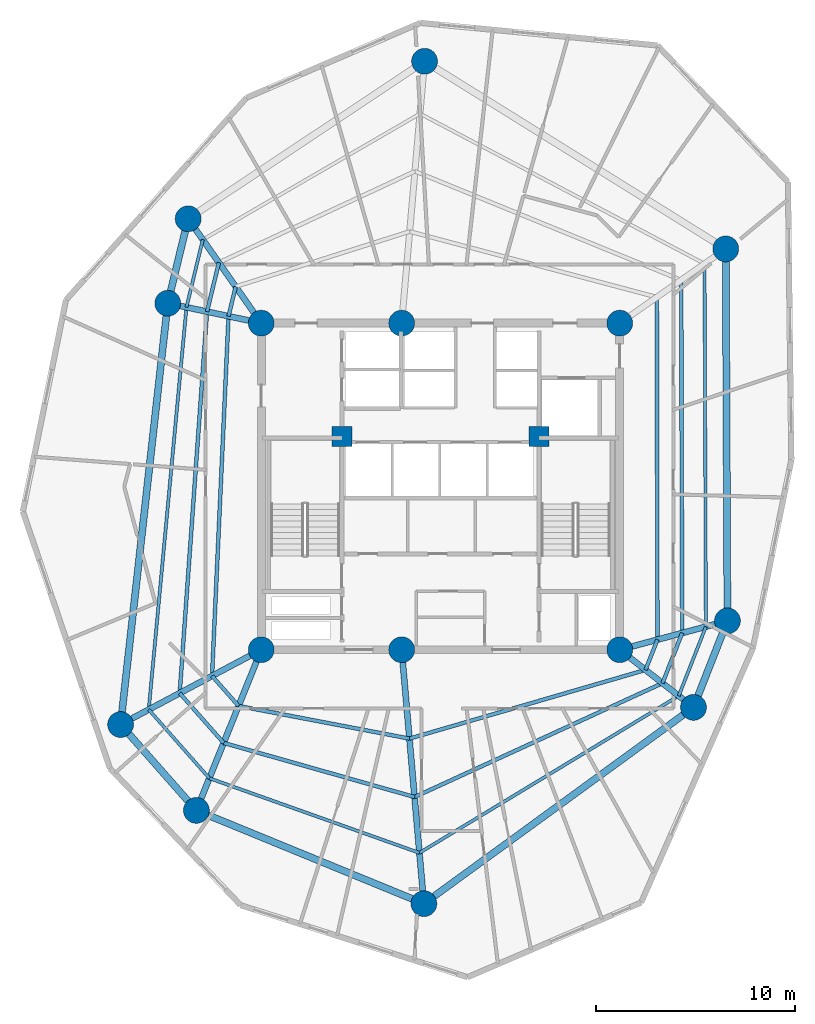
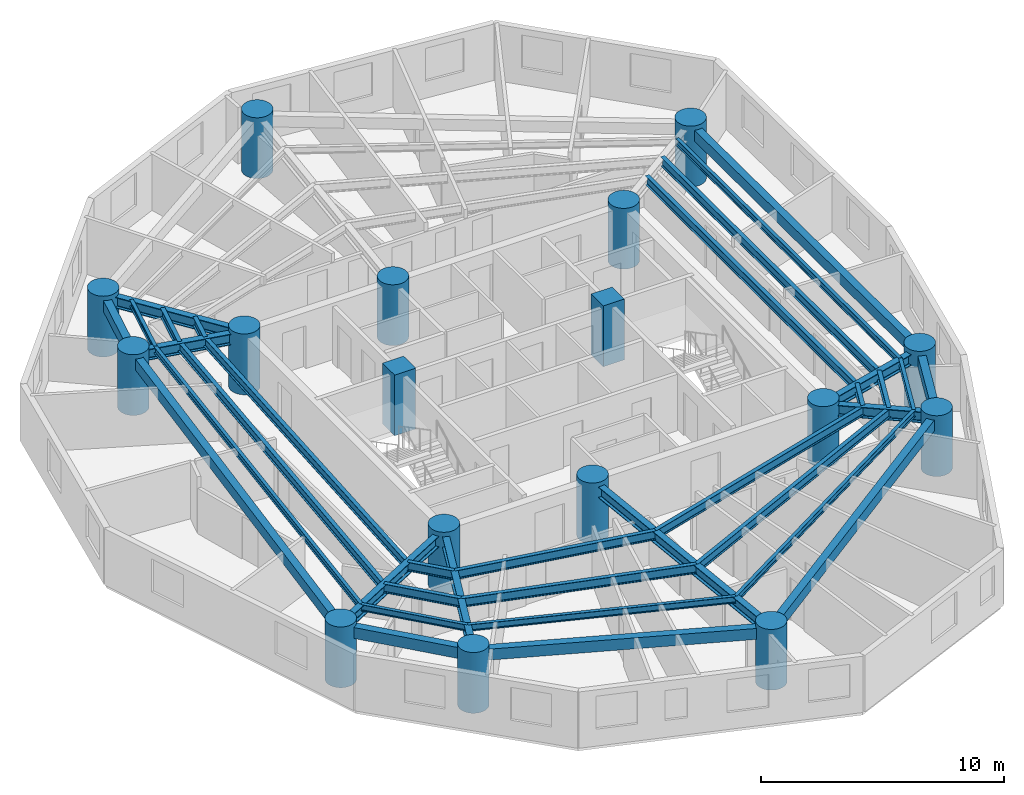
# One storey, part 1 of 8: 35 beams, 17 columns.
"""IFC4 building model written with IfcOpenShell, lengths in metres."""

from ifc_helpers import new_model, si_unit, direction, frame, origin, origin_with_axes, origin_2d, place, context, subcontext, project, spatial, rectangle, circle, i_section, extrude, source, transform, mapped, material, material_profile, profile_set, type_object, element, save


model = new_model("IFC4")

# Units and contexts
model_context = context("Model", 3, precision=1e-05, world=origin(), true_north=direction((0.0, 1.0)))
body_context = subcontext(model_context, "Body", "Model", "MODEL_VIEW")
ifc_project = project(units=[si_unit("LENGTHUNIT", "METRE"), si_unit("AREAUNIT", "SQUARE_METRE"), si_unit("VOLUMEUNIT", "CUBIC_METRE"), si_unit("PLANEANGLEUNIT", "RADIAN"), si_unit("MASSUNIT", "GRAM", prefix="KILO")], contexts=[model_context])

# Site, building, storey
site_placement = place(None, origin())
site = spatial("IfcSite", under=ifc_project, at=site_placement, CompositionType="ELEMENT")
building_placement = place(site_placement, origin())
building = spatial("IfcBuilding", under=site, at=building_placement, Name="Karkom Vertical University and Central Library", CompositionType="ELEMENT")
storey_placement = place(building_placement, frame((0.0, 0.0, 159.60009765625)))
storey = spatial("IfcBuildingStorey", under=building, at=storey_placement, Name="L45", CompositionType="ELEMENT", Elevation=159.60009765625)

# Columns
ifc_material_1 = material(Name="Concrete C50/60", Category="concrete")
ifc_material_profile_1 = material_profile(ifc_material_1, circle(Radius=0.64990234375, at=origin_2d()), Name="CFT-D1300")
ifc_profile_set_1 = profile_set([ifc_material_profile_1], Name="Concrete C50/60")
column_type_1 = type_object("IfcColumnType", Name="STR-COL-C-SC4", PredefinedType="COLUMN", material=ifc_profile_set_1)
shared_shape_1 = source(origin_with_axes(), body_context, "Body", "SweptSolid", [
    extrude(circle(Radius=0.64990234375, at=origin_2d()), origin(), (0.0, 0.0, 1.0), 3.0498046875),
])
for number, where, z_axis, x_axis, name in (
    (1, (19.5, 18.300048828125, 0.0), (0.0, 0.0, 1.0), (1.0, 0.0, 0.0), "Level 45 Spine Mega-Column SC-1"),
    (2, (26.550048828125, 18.300048828125, 0.0), (0.0, 0.0, 1.0), (1.0, 0.0, 0.0), "Level 45 Spine Mega-Column SC-2"),
    (3, (37.5, 18.300048828125, 0.0), (0.0, 0.0, 1.0), (1.0, 0.0, 0.0), "Level 45 Spine Mega-Column SC-3"),
    (4, (19.5, 34.699951171875, 0.0), (0.0, 0.0, 1.0), (1.0, 0.0, 0.0), "Level 45 Spine Mega-Column SC-4"),
    (5, (26.550048828125, 34.699951171875, 0.0), (0.0, 0.0, 1.0), (1.0, 0.0, 0.0), "Level 45 Spine Mega-Column SC-5"),
    (6, (37.5, 34.699951171875, 0.0), (0.0, 0.0, 1.0), (1.0, 0.0, 0.0), "Level 45 Spine Mega-Column SC-6"),
    (7, (42.908935546875, 19.7490234375, 0.0), (0.0, 0.0, 1.0), (1.0, 0.0, 0.0), "Level 45 Perimeter Mega-Column Z3-PC1"),
    (8, (42.823974609375, 38.427978515625, 0.0), (0.0, 0.0, 1.0), (1.0, 0.0, 0.0), "Level 45 Perimeter Mega-Column Z3-PC2"),
    (9, (27.699951171875, 47.85009765625, 0.0), (0.0, 0.0, 1.0), (1.0, 0.0, 0.0), "Level 45 Perimeter Mega-Column Z3-PC3"),
    (10, (15.8291015625, 39.943115234375, 0.0), (0.0, 0.0, 1.0), (1.0, 0.0, 0.0), "Level 45 Perimeter Mega-Column Z3-PC4"),
    (11, (14.804931640625, 35.697998046875, 0.0), (0.0, 0.0, 1.0), (1.0, 0.0, 0.0), "Level 45 Perimeter Mega-Column Z3-PC5"),
    (12, (12.43603515625, 14.5439453125, 0.0), (0.0, 0.0, 1.0), (1.0, 0.0, 0.0), "Level 45 Perimeter Mega-Column Z3-PC6"),
    (13, (16.240966796875, 10.23388671875, 0.0), (0.0, 0.0, 1.0), (1.0, 0.0, 0.0), "Level 45 Perimeter Mega-Column Z3-PC7"),
    (14, (27.666015625, 5.549072265625, 0.0), (0.0, 0.0, 1.0), (1.0, 0.0, 0.0), "Level 45 Perimeter Mega-Column Z3-PC8"),
    (15, (41.2041015625, 15.406005859375, 0.0), (0.0, 0.0, 1.0), (1.0, 0.0, 0.0), "Level 45 Perimeter Mega-Column Z3-PC9"),
):
    element("IfcColumn", number, at=place(storey_placement, frame(where, z_axis=z_axis, x_axis=x_axis)), inside=storey, type_object=column_type_1, Name=name, PredefinedType="COLUMN", context=body_context, shape_type="MappedRepresentation", body=[
        mapped(shared_shape_1, transform((0.0, 0.0, 0.0), scale=1.0)),
    ])
ifc_material_profile_2 = material_profile(ifc_material_1, rectangle(XDim=1.0, YDim=1.0, at=origin_2d()), Name="RC-1000x1000")
ifc_profile_set_2 = profile_set([ifc_material_profile_2], Name="Concrete C50/60")
column_type_2 = type_object("IfcColumnType", Name="STR-COL-C-CC2", PredefinedType="COLUMN", material=ifc_profile_set_2)
shared_shape_2 = source(origin_with_axes(), body_context, "Body", "SweptSolid", [
    extrude(rectangle(XDim=1.0, YDim=1.0, at=origin_2d()), origin(), (0.0, 0.0, 1.0), 3.0498046875),
])
for number, where, z_axis, x_axis, name in (
    (16, (23.550048828125, 29.0, 0.0), (0.0, 0.0, 1.0), (1.0, 0.0, 0.0), "Level 45 Core Node Column CC-1"),
    (17, (33.449951171875, 29.0, 0.0), (0.0, 0.0, 1.0), (1.0, 0.0, 0.0), "Level 45 Core Node Column CC-2"),
):
    element("IfcColumn", number, at=place(storey_placement, frame(where, z_axis=z_axis, x_axis=x_axis)), inside=storey, type_object=column_type_2, Name=name, PredefinedType="COLUMN", context=body_context, shape_type="MappedRepresentation", body=[
        mapped(shared_shape_2, transform((0.0, 0.0, 0.0), scale=1.0)),
    ])

# Beams
ifc_material_2 = material(Name="Precast concrete C45/55", Category="concrete")
ifc_material_profile_3 = material_profile(ifc_material_2, rectangle(XDim=0.35009765625, YDim=0.550048828125, at=origin_2d()), Name="SPB-350x550")
ifc_profile_set_3 = profile_set([ifc_material_profile_3], Name="Precast concrete C45/55")
beam_type_1 = type_object("IfcBeamType", Name="STR-BM-SP-2", PredefinedType="SPANDREL", material=ifc_profile_set_3)
shared_shape_3 = source(origin_with_axes(), body_context, "Body", "SweptSolid", [
    extrude(rectangle(XDim=0.35009765625, YDim=0.550048828125, at=origin_2d()), origin(), (0.0, 0.0, 1.0), 18.67919921875),
])
beam_1_placement = place(storey_placement, frame((42.908935546875, 19.7490234375, 2.5498046875), z_axis=(-0.004548437442, 0.999989655805, 0.0), x_axis=(-0.999989655805, -0.004548437442, 0.0)))
element("IfcBeam", 18, at=beam_1_placement, inside=storey, type_object=beam_type_1, Name="Level 45 Perimeter Spandrel Beam 01", PredefinedType="SPANDREL", context=body_context, shape_type="MappedRepresentation", body=[
    mapped(shared_shape_3, transform((0.0, 0.0, 0.0), scale=1.0)),
])
shared_shape_4 = source(origin_with_axes(), body_context, "Body", "SweptSolid", [
    extrude(rectangle(XDim=0.35009765625, YDim=0.550048828125, at=origin_2d()), origin(), (0.0, 0.0, 1.0), 4.366943359375),
])
beam_2_placement = place(storey_placement, frame((15.8291015625, 39.943115234375, 2.5498046875), z_axis=(-0.234529408772, -0.972109024966, 0.0), x_axis=(0.972109024966, -0.234529408772, 0.0)))
element("IfcBeam", 19, at=beam_2_placement, inside=storey, type_object=beam_type_1, Name="Level 45 Perimeter Spandrel Beam 04", PredefinedType="SPANDREL", context=body_context, shape_type="MappedRepresentation", body=[
    mapped(shared_shape_4, transform((0.0, 0.0, 0.0), scale=1.0)),
])
shared_shape_5 = source(origin_with_axes(), body_context, "Body", "SweptSolid", [
    extrude(rectangle(XDim=0.35009765625, YDim=0.550048828125, at=origin_2d()), origin(), (0.0, 0.0, 1.0), 21.286376953125),
])
beam_3_placement = place(storey_placement, frame((14.804931640625, 35.697998046875, 2.5498046875), z_axis=(-0.111287493264, -0.993788254028, 0.0), x_axis=(0.993788254028, -0.111287493264, 0.0)))
element("IfcBeam", 20, at=beam_3_placement, inside=storey, type_object=beam_type_1, Name="Level 45 Perimeter Spandrel Beam 05", PredefinedType="SPANDREL", context=body_context, shape_type="MappedRepresentation", body=[
    mapped(shared_shape_5, transform((0.0, 0.0, 0.0), scale=1.0)),
])
shared_shape_6 = source(origin_with_axes(), body_context, "Body", "SweptSolid", [
    extrude(rectangle(XDim=0.35009765625, YDim=0.550048828125, at=origin_2d()), origin(), (0.0, 0.0, 1.0), 5.749267578125),
])
beam_4_placement = place(storey_placement, frame((12.43603515625, 14.5439453125, 2.5498046875), z_axis=(0.661811219671, -0.74967053398, 0.0), x_axis=(0.74967053398, 0.661811219671, 0.0)))
element("IfcBeam", 21, at=beam_4_placement, inside=storey, type_object=beam_type_1, Name="Level 45 Perimeter Spandrel Beam 06", PredefinedType="SPANDREL", context=body_context, shape_type="MappedRepresentation", body=[
    mapped(shared_shape_6, transform((0.0, 0.0, 0.0), scale=1.0)),
])
shared_shape_7 = source(origin_with_axes(), body_context, "Body", "SweptSolid", [
    extrude(rectangle(XDim=0.35009765625, YDim=0.550048828125, at=origin_2d()), origin(), (0.0, 0.0, 1.0), 12.34814453125),
])
beam_5_placement = place(storey_placement, frame((16.240966796875, 10.23388671875, 2.5498046875), z_axis=(0.925236428984, -0.37939102583, 0.0), x_axis=(0.37939102583, 0.925236428984, 0.0)))
element("IfcBeam", 22, at=beam_5_placement, inside=storey, type_object=beam_type_1, Name="Level 45 Perimeter Spandrel Beam 07", PredefinedType="SPANDREL", context=body_context, shape_type="MappedRepresentation", body=[
    mapped(shared_shape_7, transform((0.0, 0.0, 0.0), scale=1.0)),
])
shared_shape_8 = source(origin_with_axes(), body_context, "Body", "SweptSolid", [
    extrude(rectangle(XDim=0.35009765625, YDim=0.550048828125, at=origin_2d()), origin(), (0.0, 0.0, 1.0), 16.746337890625),
])
beam_6_placement = place(storey_placement, frame((27.666015625, 5.549072265625, 2.5498046875), z_axis=(0.808422013284, 0.588603303115, 0.0), x_axis=(-0.588603303115, 0.808422013284, 0.0)))
element("IfcBeam", 23, at=beam_6_placement, inside=storey, type_object=beam_type_1, Name="Level 45 Perimeter Spandrel Beam 08", PredefinedType="SPANDREL", context=body_context, shape_type="MappedRepresentation", body=[
    mapped(shared_shape_8, transform((0.0, 0.0, 0.0), scale=1.0)),
])
shared_shape_9 = source(origin_with_axes(), body_context, "Body", "SweptSolid", [
    extrude(rectangle(XDim=0.35009765625, YDim=0.550048828125, at=origin_2d()), origin(), (0.0, 0.0, 1.0), 4.66552734375),
])
beam_7_placement = place(storey_placement, frame((41.2041015625, 15.406005859375, 2.5498046875), z_axis=(0.365401419454, 0.930850043058, 0.0), x_axis=(-0.930850043058, 0.365401419454, 0.0)))
element("IfcBeam", 24, at=beam_7_placement, inside=storey, type_object=beam_type_1, Name="Level 45 Perimeter Spandrel Beam 09", PredefinedType="SPANDREL", context=body_context, shape_type="MappedRepresentation", body=[
    mapped(shared_shape_9, transform((0.0, 0.0, 0.0), scale=1.0)),
])
ifc_material_3 = material(Name="Steel S355", Category="steel")
ifc_material_profile_4 = material_profile(ifc_material_3, i_section(OverallWidth=0.18994140625, OverallDepth=0.449951171875, WebThickness=0.009521484375, FlangeThickness=0.0146484375, FilletRadius=0.02099609375, at=origin_2d()), Name="IPE 450")
ifc_profile_set_4 = profile_set([ifc_material_profile_4], Name="Steel S355")
beam_type_2 = type_object("IfcBeamType", Name="STR-BM-SB-IPE450", PredefinedType="BEAM", material=ifc_profile_set_4)
shared_shape_10 = source(origin_with_axes(), body_context, "Body", "SweptSolid", [
    extrude(i_section(OverallWidth=0.18994140625, OverallDepth=0.449951171875, WebThickness=0.009521484375, FlangeThickness=0.0146484375, FilletRadius=0.02099609375, at=origin_2d()), origin(), (0.0, 0.0, 1.0), 17.19775390625),
])
beam_8_placement = place(storey_placement, frame((39.39306640625, 18.80712890625, 2.599853515625), z_axis=(-0.001731918699, 0.999998500228, 0.0), x_axis=(-0.999998500228, -0.001731918699, 0.0)))
element("IfcBeam", 25, at=beam_8_placement, inside=storey, type_object=beam_type_2, Name="Level 45 Secondary Composite Floor Beam 1.01", PredefinedType="BEAM", context=body_context, shape_type="MappedRepresentation", body=[
    mapped(shared_shape_10, transform((0.0, 0.0, 0.0), scale=1.0)),
])
shared_shape_11 = source(origin_with_axes(), body_context, "Body", "SweptSolid", [
    extrude(i_section(OverallWidth=0.18994140625, OverallDepth=0.449951171875, WebThickness=0.009521484375, FlangeThickness=0.0146484375, FilletRadius=0.02099609375, at=origin_2d()), origin(), (0.0, 0.0, 1.0), 1.5283203125),
])
beam_9_placement = place(storey_placement, frame((18.215087890625, 36.534912109375, 2.599853515625), z_axis=(-0.234520804587, -0.972111100757, 0.0), x_axis=(0.972111100757, -0.234520804587, 0.0)))
element("IfcBeam", 26, at=beam_9_placement, inside=storey, type_object=beam_type_2, Name="Level 45 Secondary Composite Floor Beam 1.04", PredefinedType="BEAM", context=body_context, shape_type="MappedRepresentation", body=[
    mapped(shared_shape_11, transform((0.0, 0.0, 0.0), scale=1.0)),
])
shared_shape_12 = source(origin_with_axes(), body_context, "Body", "SweptSolid", [
    extrude(i_section(OverallWidth=0.18994140625, OverallDepth=0.449951171875, WebThickness=0.009521484375, FlangeThickness=0.0146484375, FilletRadius=0.02099609375, at=origin_2d()), origin(), (0.0, 0.0, 1.0), 18.0830078125),
])
beam_10_placement = place(storey_placement, frame((17.856689453125, 35.04931640625, 2.599853515625), z_axis=(-0.04584982532, -0.998948343769, 0.0), x_axis=(0.998948343769, -0.04584982532, 0.0)))
element("IfcBeam", 27, at=beam_10_placement, inside=storey, type_object=beam_type_2, Name="Level 45 Secondary Composite Floor Beam 1.05", PredefinedType="BEAM", context=body_context, shape_type="MappedRepresentation", body=[
    mapped(shared_shape_12, transform((0.0, 0.0, 0.0), scale=1.0)),
])
shared_shape_13 = source(origin_with_axes(), body_context, "Body", "SweptSolid", [
    extrude(i_section(OverallWidth=0.18994140625, OverallDepth=0.449951171875, WebThickness=0.009521484375, FlangeThickness=0.0146484375, FilletRadius=0.02099609375, at=origin_2d()), origin(), (0.0, 0.0, 1.0), 2.01220703125),
])
beam_11_placement = place(storey_placement, frame((17.027587890625, 16.9853515625, 2.599853515625), z_axis=(0.661822246424, -0.749660799387, 0.0), x_axis=(0.749660799387, 0.661822246424, 0.0)))
element("IfcBeam", 28, at=beam_11_placement, inside=storey, type_object=beam_type_2, Name="Level 45 Secondary Composite Floor Beam 1.06", PredefinedType="BEAM", context=body_context, shape_type="MappedRepresentation", body=[
    mapped(shared_shape_13, transform((0.0, 0.0, 0.0), scale=1.0)),
])
shared_shape_14 = source(origin_with_axes(), body_context, "Body", "SweptSolid", [
    extrude(i_section(OverallWidth=0.18994140625, OverallDepth=0.449951171875, WebThickness=0.009521484375, FlangeThickness=0.0146484375, FilletRadius=0.02099609375, at=origin_2d()), origin(), (0.0, 0.0, 1.0), 8.736572265625),
])
beam_12_placement = place(storey_placement, frame((18.359375, 15.476806640625, 2.599853515625), z_axis=(0.982230782932, -0.187677087205, 0.0), x_axis=(0.187677087205, 0.982230782932, 0.0)))
element("IfcBeam", 29, at=beam_12_placement, inside=storey, type_object=beam_type_2, Name="Level 45 Secondary Composite Floor Beam 1.07", PredefinedType="BEAM", context=body_context, shape_type="MappedRepresentation", body=[
    mapped(shared_shape_14, transform((0.0, 0.0, 0.0), scale=1.0)),
])
shared_shape_15 = source(origin_with_axes(), body_context, "Body", "SweptSolid", [
    extrude(i_section(OverallWidth=0.18994140625, OverallDepth=0.449951171875, WebThickness=0.009521484375, FlangeThickness=0.0146484375, FilletRadius=0.02099609375, at=origin_2d()), origin(), (0.0, 0.0, 1.0), 12.347412109375),
])
beam_13_placement = place(storey_placement, frame((26.940673828125, 13.837158203125, 2.599853515625), z_axis=(0.960173212987, 0.279405442077, 0.0), x_axis=(-0.279405442077, 0.960173212987, 0.0)))
element("IfcBeam", 30, at=beam_13_placement, inside=storey, type_object=beam_type_2, Name="Level 45 Secondary Composite Floor Beam 1.08", PredefinedType="BEAM", context=body_context, shape_type="MappedRepresentation", body=[
    mapped(shared_shape_15, transform((0.0, 0.0, 0.0), scale=1.0)),
])
shared_shape_16 = source(origin_with_axes(), body_context, "Body", "SweptSolid", [
    extrude(i_section(OverallWidth=0.18994140625, OverallDepth=0.449951171875, WebThickness=0.009521484375, FlangeThickness=0.0146484375, FilletRadius=0.02099609375, at=origin_2d()), origin(), (0.0, 0.0, 1.0), 1.633056640625),
])
beam_14_placement = place(storey_placement, frame((38.79638671875, 17.287109375, 2.599853515625), z_axis=(0.365402570083, 0.930849591382, 0.0), x_axis=(-0.930849591382, 0.365402570083, 0.0)))
element("IfcBeam", 31, at=beam_14_placement, inside=storey, type_object=beam_type_2, Name="Level 45 Secondary Composite Floor Beam 1.09", PredefinedType="BEAM", context=body_context, shape_type="MappedRepresentation", body=[
    mapped(shared_shape_16, transform((0.0, 0.0, 0.0), scale=1.0)),
])
shared_shape_17 = source(origin_with_axes(), body_context, "Body", "SweptSolid", [
    extrude(i_section(OverallWidth=0.18994140625, OverallDepth=0.449951171875, WebThickness=0.009521484375, FlangeThickness=0.0146484375, FilletRadius=0.02099609375, at=origin_2d()), origin(), (0.0, 0.0, 1.0), 17.721923828125),
])
beam_15_placement = place(storey_placement, frame((40.63720703125, 19.140380859375, 2.599853515625), z_axis=(-0.002782780006, 0.99999612806, 0.0), x_axis=(-0.99999612806, -0.002782780006, 0.0)))
element("IfcBeam", 32, at=beam_15_placement, inside=storey, type_object=beam_type_2, Name="Level 45 Secondary Composite Floor Beam 2.01", PredefinedType="BEAM", context=body_context, shape_type="MappedRepresentation", body=[
    mapped(shared_shape_17, transform((0.0, 0.0, 0.0), scale=1.0)),
])
shared_shape_18 = source(origin_with_axes(), body_context, "Body", "SweptSolid", [
    extrude(i_section(OverallWidth=0.18994140625, OverallDepth=0.449951171875, WebThickness=0.009521484375, FlangeThickness=0.0146484375, FilletRadius=0.02099609375, at=origin_2d()), origin(), (0.0, 0.0, 1.0), 2.53271484375),
])
beam_16_placement = place(storey_placement, frame((17.370849609375, 37.740966796875, 2.599853515625), z_axis=(-0.234521178828, -0.972111010472, 0.0), x_axis=(0.972111010472, -0.234521178828, 0.0)))
element("IfcBeam", 33, at=beam_16_placement, inside=storey, type_object=beam_type_2, Name="Level 45 Secondary Composite Floor Beam 2.04", PredefinedType="BEAM", context=body_context, shape_type="MappedRepresentation", body=[
    mapped(shared_shape_18, transform((0.0, 0.0, 0.0), scale=1.0)),
])
shared_shape_19 = source(origin_with_axes(), body_context, "Body", "SweptSolid", [
    extrude(i_section(OverallWidth=0.18994140625, OverallDepth=0.449951171875, WebThickness=0.009521484375, FlangeThickness=0.0146484375, FilletRadius=0.02099609375, at=origin_2d()), origin(), (0.0, 0.0, 1.0), 19.20654296875),
])
beam_17_placement = place(storey_placement, frame((16.77685546875, 35.27880859375, 2.599853515625), z_axis=(-0.071539731632, -0.997437750839, 0.0), x_axis=(0.997437750839, -0.071539731632, 0.0)))
element("IfcBeam", 34, at=beam_17_placement, inside=storey, type_object=beam_type_2, Name="Level 45 Secondary Composite Floor Beam 2.05", PredefinedType="BEAM", context=body_context, shape_type="MappedRepresentation", body=[
    mapped(shared_shape_19, transform((0.0, 0.0, 0.0), scale=1.0)),
])
shared_shape_20 = source(origin_with_axes(), body_context, "Body", "SweptSolid", [
    extrude(i_section(OverallWidth=0.18994140625, OverallDepth=0.449951171875, WebThickness=0.009521484375, FlangeThickness=0.0146484375, FilletRadius=0.02099609375, at=origin_2d()), origin(), (0.0, 0.0, 1.0), 3.334716796875),
])
beam_18_placement = place(storey_placement, frame((15.40283203125, 16.12158203125, 2.599853515625), z_axis=(0.661815321502, -0.749666912852, 0.0), x_axis=(0.749666912852, 0.661815321502, 0.0)))
element("IfcBeam", 35, at=beam_18_placement, inside=storey, type_object=beam_type_2, Name="Level 45 Secondary Composite Floor Beam 2.06", PredefinedType="BEAM", context=body_context, shape_type="MappedRepresentation", body=[
    mapped(shared_shape_20, transform((0.0, 0.0, 0.0), scale=1.0)),
])
shared_shape_21 = source(origin_with_axes(), body_context, "Body", "SweptSolid", [
    extrude(i_section(OverallWidth=0.18994140625, OverallDepth=0.449951171875, WebThickness=0.009521484375, FlangeThickness=0.0146484375, FilletRadius=0.02099609375, at=origin_2d()), origin(), (0.0, 0.0, 1.0), 9.965087890625),
])
beam_19_placement = place(storey_placement, frame((17.60986328125, 13.62158203125, 2.599853515625), z_axis=(0.962104232935, -0.272681948372, 0.0), x_axis=(0.272681948372, 0.962104232935, 0.0)))
element("IfcBeam", 36, at=beam_19_placement, inside=storey, type_object=beam_type_2, Name="Level 45 Secondary Composite Floor Beam 2.07", PredefinedType="BEAM", context=body_context, shape_type="MappedRepresentation", body=[
    mapped(shared_shape_21, transform((0.0, 0.0, 0.0), scale=1.0)),
])
shared_shape_22 = source(origin_with_axes(), body_context, "Body", "SweptSolid", [
    extrude(i_section(OverallWidth=0.18994140625, OverallDepth=0.449951171875, WebThickness=0.009521484375, FlangeThickness=0.0146484375, FilletRadius=0.02099609375, at=origin_2d()), origin(), (0.0, 0.0, 1.0), 13.700927734375),
])
beam_20_placement = place(storey_placement, frame((27.197265625, 10.904296875, 2.599853515625), z_axis=(0.908771280691, 0.417294571486, 0.0), x_axis=(-0.417294571486, 0.908771280691, 0.0)))
element("IfcBeam", 37, at=beam_20_placement, inside=storey, type_object=beam_type_2, Name="Level 45 Secondary Composite Floor Beam 2.08", PredefinedType="BEAM", context=body_context, shape_type="MappedRepresentation", body=[
    mapped(shared_shape_22, transform((0.0, 0.0, 0.0), scale=1.0)),
])
shared_shape_23 = source(origin_with_axes(), body_context, "Body", "SweptSolid", [
    extrude(i_section(OverallWidth=0.18994140625, OverallDepth=0.449951171875, WebThickness=0.009521484375, FlangeThickness=0.0146484375, FilletRadius=0.02099609375, at=origin_2d()), origin(), (0.0, 0.0, 1.0), 2.7060546875),
])
beam_21_placement = place(storey_placement, frame((39.648193359375, 16.62158203125, 2.599853515625), z_axis=(0.365487674906, 0.930816179217, 0.0), x_axis=(-0.930816179217, 0.365487674906, 0.0)))
element("IfcBeam", 38, at=beam_21_placement, inside=storey, type_object=beam_type_2, Name="Level 45 Secondary Composite Floor Beam 2.09", PredefinedType="BEAM", context=body_context, shape_type="MappedRepresentation", body=[
    mapped(shared_shape_23, transform((0.0, 0.0, 0.0), scale=1.0)),
])
ifc_material_profile_5 = material_profile(ifc_material_3, i_section(OverallWidth=0.159912109375, OverallDepth=0.330078125, WebThickness=0.007568359375, FlangeThickness=0.011474609375, FilletRadius=0.01806640625, at=origin_2d()), Name="IPE 330")
ifc_profile_set_5 = profile_set([ifc_material_profile_5], Name="Steel S355")
beam_type_3 = type_object("IfcBeamType", Name="STR-BM-SB-IPE330", PredefinedType="BEAM", material=ifc_profile_set_5)
shared_shape_24 = source(origin_with_axes(), body_context, "Body", "SweptSolid", [
    extrude(i_section(OverallWidth=0.159912109375, OverallDepth=0.330078125, WebThickness=0.007568359375, FlangeThickness=0.011474609375, FilletRadius=0.01806640625, at=origin_2d()), origin(), (0.0, 0.0, 1.0), 18.223388671875),
])
beam_22_placement = place(storey_placement, frame((41.8271484375, 19.459228515625, 2.659912109375), z_axis=(-0.003724418851, 0.999993064328, 0.0), x_axis=(-0.999993064328, -0.003724418851, 0.0)))
element("IfcBeam", 39, at=beam_22_placement, inside=storey, type_object=beam_type_3, Name="Level 45 Secondary Composite Floor Beam 3.01", PredefinedType="BEAM", context=body_context, shape_type="MappedRepresentation", body=[
    mapped(shared_shape_24, transform((0.0, 0.0, 0.0), scale=1.0)),
])
shared_shape_25 = source(origin_with_axes(), body_context, "Body", "SweptSolid", [
    extrude(i_section(OverallWidth=0.159912109375, OverallDepth=0.330078125, WebThickness=0.007568359375, FlangeThickness=0.011474609375, FilletRadius=0.01806640625, at=origin_2d()), origin(), (0.0, 0.0, 1.0), 3.493408203125),
])
beam_23_placement = place(storey_placement, frame((16.563232421875, 38.894287109375, 2.659912109375), z_axis=(-0.234535781995, -0.972107487351, 0.0), x_axis=(0.972107487351, -0.234535781995, 0.0)))
element("IfcBeam", 40, at=beam_23_placement, inside=storey, type_object=beam_type_3, Name="Level 45 Secondary Composite Floor Beam 3.04", PredefinedType="BEAM", context=body_context, shape_type="MappedRepresentation", body=[
    mapped(shared_shape_25, transform((0.0, 0.0, 0.0), scale=1.0)),
])
shared_shape_26 = source(origin_with_axes(), body_context, "Body", "SweptSolid", [
    extrude(i_section(OverallWidth=0.159912109375, OverallDepth=0.330078125, WebThickness=0.007568359375, FlangeThickness=0.011474609375, FilletRadius=0.01806640625, at=origin_2d()), origin(), (0.0, 0.0, 1.0), 20.291748046875),
])
beam_24_placement = place(storey_placement, frame((15.743896484375, 35.498291015625, 2.659912109375), z_axis=(-0.093388415244, -0.995629752417, 0.0), x_axis=(0.995629752417, -0.093388415244, 0.0)))
element("IfcBeam", 41, at=beam_24_placement, inside=storey, type_object=beam_type_3, Name="Level 45 Secondary Composite Floor Beam 3.05", PredefinedType="BEAM", context=body_context, shape_type="MappedRepresentation", body=[
    mapped(shared_shape_26, transform((0.0, 0.0, 0.0), scale=1.0)),
])
shared_shape_27 = source(origin_with_axes(), body_context, "Body", "SweptSolid", [
    extrude(i_section(OverallWidth=0.159912109375, OverallDepth=0.330078125, WebThickness=0.007568359375, FlangeThickness=0.011474609375, FilletRadius=0.01806640625, at=origin_2d()), origin(), (0.0, 0.0, 1.0), 4.599365234375),
])
beam_25_placement = place(storey_placement, frame((13.848876953125, 15.295166015625, 2.659912109375), z_axis=(0.661816486801, -0.74966588411, 0.0), x_axis=(0.74966588411, 0.661816486801, 0.0)))
element("IfcBeam", 42, at=beam_25_placement, inside=storey, type_object=beam_type_3, Name="Level 45 Secondary Composite Floor Beam 3.06", PredefinedType="BEAM", context=body_context, shape_type="MappedRepresentation", body=[
    mapped(shared_shape_27, transform((0.0, 0.0, 0.0), scale=1.0)),
])
shared_shape_28 = source(origin_with_axes(), body_context, "Body", "SweptSolid", [
    extrude(i_section(OverallWidth=0.159912109375, OverallDepth=0.330078125, WebThickness=0.007568359375, FlangeThickness=0.011474609375, FilletRadius=0.01806640625, at=origin_2d()), origin(), (0.0, 0.0, 1.0), 11.196044921875),
])
beam_26_placement = place(storey_placement, frame((16.892822265625, 11.84716796875, 2.659912109375), z_axis=(0.942301538336, -0.334765307119, 0.0), x_axis=(0.334765307119, 0.942301538336, 0.0)))
element("IfcBeam", 43, at=beam_26_placement, inside=storey, type_object=beam_type_3, Name="Level 45 Secondary Composite Floor Beam 3.07", PredefinedType="BEAM", context=body_context, shape_type="MappedRepresentation", body=[
    mapped(shared_shape_28, transform((0.0, 0.0, 0.0), scale=1.0)),
])
shared_shape_29 = source(origin_with_axes(), body_context, "Body", "SweptSolid", [
    extrude(i_section(OverallWidth=0.159912109375, OverallDepth=0.330078125, WebThickness=0.007568359375, FlangeThickness=0.011474609375, FilletRadius=0.01806640625, at=origin_2d()), origin(), (0.0, 0.0, 1.0), 15.22216796875),
])
beam_27_placement = place(storey_placement, frame((27.44287109375, 8.09912109375, 2.659912109375), z_axis=(0.855352900974, 0.518045765155, 0.0), x_axis=(-0.518045765155, 0.855352900974, 0.0)))
element("IfcBeam", 44, at=beam_27_placement, inside=storey, type_object=beam_type_3, Name="Level 45 Secondary Composite Floor Beam 3.08", PredefinedType="BEAM", context=body_context, shape_type="MappedRepresentation", body=[
    mapped(shared_shape_29, transform((0.0, 0.0, 0.0), scale=1.0)),
])
shared_shape_30 = source(origin_with_axes(), body_context, "Body", "SweptSolid", [
    extrude(i_section(OverallWidth=0.159912109375, OverallDepth=0.330078125, WebThickness=0.007568359375, FlangeThickness=0.011474609375, FilletRadius=0.01806640625, at=origin_2d()), origin(), (0.0, 0.0, 1.0), 3.732421875),
])
beam_28_placement = place(storey_placement, frame((40.463134765625, 15.98486328125, 2.659912109375), z_axis=(0.365439874109, 0.930834946922, 0.0), x_axis=(-0.930834946922, 0.365439874109, 0.0)))
element("IfcBeam", 45, at=beam_28_placement, inside=storey, type_object=beam_type_3, Name="Level 45 Secondary Composite Floor Beam 3.09", PredefinedType="BEAM", context=body_context, shape_type="MappedRepresentation", body=[
    mapped(shared_shape_30, transform((0.0, 0.0, 0.0), scale=1.0)),
])
ifc_material_profile_6 = material_profile(ifc_material_3, i_section(OverallWidth=0.300048828125, OverallDepth=0.550048828125, WebThickness=0.014892578125, FlangeThickness=0.029052734375, FilletRadius=0.027099609375, at=origin_2d()), Name="HE 550 B")
ifc_profile_set_6 = profile_set([ifc_material_profile_6], Name="Steel S355")
beam_type_4 = type_object("IfcBeamType", Name="STR-BM-SB-HE550", PredefinedType="USERDEFINED", material=ifc_profile_set_6)
shared_shape_31 = source(origin_with_axes(), body_context, "Body", "SweptSolid", [
    extrude(i_section(OverallWidth=0.300048828125, OverallDepth=0.550048828125, WebThickness=0.014892578125, FlangeThickness=0.029052734375, FilletRadius=0.027099609375, at=origin_2d()), origin(), (0.0, 0.0, 1.0), 5.599609375),
])
beam_29_placement = place(storey_placement, frame((37.5, 18.300048828125, 2.5498046875), z_axis=(0.965941240814, 0.258761510459, 0.0), x_axis=(-0.258761510459, 0.965941240814, 0.0)))
element("IfcBeam", 46, at=beam_29_placement, inside=storey, type_object=beam_type_4, Name="Level 45 Radial Frame Girder 01", ObjectType="GIRDER", PredefinedType="USERDEFINED", context=body_context, shape_type="MappedRepresentation", body=[
    mapped(shared_shape_31, transform((0.0, 0.0, 0.0), scale=1.0)),
])
shared_shape_32 = source(origin_with_axes(), body_context, "Body", "SweptSolid", [
    extrude(i_section(OverallWidth=0.300048828125, OverallDepth=0.550048828125, WebThickness=0.014892578125, FlangeThickness=0.029052734375, FilletRadius=0.027099609375, at=origin_2d()), origin(), (0.0, 0.0, 1.0), 6.400390625),
])
beam_30_placement = place(storey_placement, frame((19.5, 34.699951171875, 2.5498046875), z_axis=(-0.573534022273, 0.81918174131, 0.0), x_axis=(-0.81918174131, -0.573534022273, 0.0)))
element("IfcBeam", 47, at=beam_30_placement, inside=storey, type_object=beam_type_4, Name="Level 45 Radial Frame Girder 04", ObjectType="GIRDER", PredefinedType="USERDEFINED", context=body_context, shape_type="MappedRepresentation", body=[
    mapped(shared_shape_32, transform((0.0, 0.0, 0.0), scale=1.0)),
])
shared_shape_33 = source(origin_with_axes(), body_context, "Body", "SweptSolid", [
    extrude(i_section(OverallWidth=0.300048828125, OverallDepth=0.550048828125, WebThickness=0.014892578125, FlangeThickness=0.029052734375, FilletRadius=0.027099609375, at=origin_2d()), origin(), (0.0, 0.0, 1.0), 4.800048828125),
])
beam_31_placement = place(storey_placement, frame((19.5, 34.699951171875, 2.5498046875), z_axis=(-0.978144241295, 0.207927495108, 0.0), x_axis=(-0.207927495108, -0.978144241295, 0.0)))
element("IfcBeam", 48, at=beam_31_placement, inside=storey, type_object=beam_type_4, Name="Level 45 Radial Frame Girder 05", ObjectType="GIRDER", PredefinedType="USERDEFINED", context=body_context, shape_type="MappedRepresentation", body=[
    mapped(shared_shape_33, transform((0.0, 0.0, 0.0), scale=1.0)),
])
shared_shape_34 = source(origin_with_axes(), body_context, "Body", "SweptSolid", [
    extrude(i_section(OverallWidth=0.300048828125, OverallDepth=0.550048828125, WebThickness=0.014892578125, FlangeThickness=0.029052734375, FilletRadius=0.027099609375, at=origin_2d()), origin(), (0.0, 0.0, 1.0), 8.00048828125),
])
beam_32_placement = place(storey_placement, frame((19.5, 18.300048828125, 2.5498046875), z_axis=(-0.882941023922, -0.46948391695, 0.0), x_axis=(0.46948391695, -0.882941023922, 0.0)))
element("IfcBeam", 49, at=beam_32_placement, inside=storey, type_object=beam_type_4, Name="Level 45 Radial Frame Girder 06", ObjectType="GIRDER", PredefinedType="USERDEFINED", context=body_context, shape_type="MappedRepresentation", body=[
    mapped(shared_shape_34, transform((0.0, 0.0, 0.0), scale=1.0)),
])
shared_shape_35 = source(origin_with_axes(), body_context, "Body", "SweptSolid", [
    extrude(i_section(OverallWidth=0.300048828125, OverallDepth=0.550048828125, WebThickness=0.014892578125, FlangeThickness=0.029052734375, FilletRadius=0.027099609375, at=origin_2d()), origin(), (0.0, 0.0, 1.0), 8.69970703125),
])
beam_33_placement = place(storey_placement, frame((19.5, 18.300048828125, 2.5498046875), z_axis=(-0.374615701214, -0.927180174725, 0.0), x_axis=(0.927180174725, -0.374615701214, 0.0)))
element("IfcBeam", 50, at=beam_33_placement, inside=storey, type_object=beam_type_4, Name="Level 45 Radial Frame Girder 07", ObjectType="GIRDER", PredefinedType="USERDEFINED", context=body_context, shape_type="MappedRepresentation", body=[
    mapped(shared_shape_35, transform((0.0, 0.0, 0.0), scale=1.0)),
])
shared_shape_36 = source(origin_with_axes(), body_context, "Body", "SweptSolid", [
    extrude(i_section(OverallWidth=0.300048828125, OverallDepth=0.550048828125, WebThickness=0.014892578125, FlangeThickness=0.029052734375, FilletRadius=0.027099609375, at=origin_2d()), origin(), (0.0, 0.0, 1.0), 12.7998046875),
])
beam_34_placement = place(storey_placement, frame((26.550048828125, 18.300048828125, 2.5498046875), z_axis=(0.087186825694, -0.996191978198, 0.0), x_axis=(0.996191978198, 0.087186825694, 0.0)))
element("IfcBeam", 51, at=beam_34_placement, inside=storey, type_object=beam_type_4, Name="Level 45 Radial Frame Girder 08", ObjectType="GIRDER", PredefinedType="USERDEFINED", context=body_context, shape_type="MappedRepresentation", body=[
    mapped(shared_shape_36, transform((0.0, 0.0, 0.0), scale=1.0)),
])
shared_shape_37 = source(origin_with_axes(), body_context, "Body", "SweptSolid", [
    extrude(i_section(OverallWidth=0.300048828125, OverallDepth=0.550048828125, WebThickness=0.014892578125, FlangeThickness=0.029052734375, FilletRadius=0.027099609375, at=origin_2d()), origin(), (0.0, 0.0, 1.0), 4.70068359375),
])
beam_35_placement = place(storey_placement, frame((37.5, 18.300048828125, 2.5498046875), z_axis=(0.788002325582, -0.615672262553, 0.0), x_axis=(0.615672262553, 0.788002325582, 0.0)))
element("IfcBeam", 52, at=beam_35_placement, inside=storey, type_object=beam_type_4, Name="Level 45 Radial Frame Girder 09", ObjectType="GIRDER", PredefinedType="USERDEFINED", context=body_context, shape_type="MappedRepresentation", body=[
    mapped(shared_shape_37, transform((0.0, 0.0, 0.0), scale=1.0)),
])

save(model, "model.ifc")
